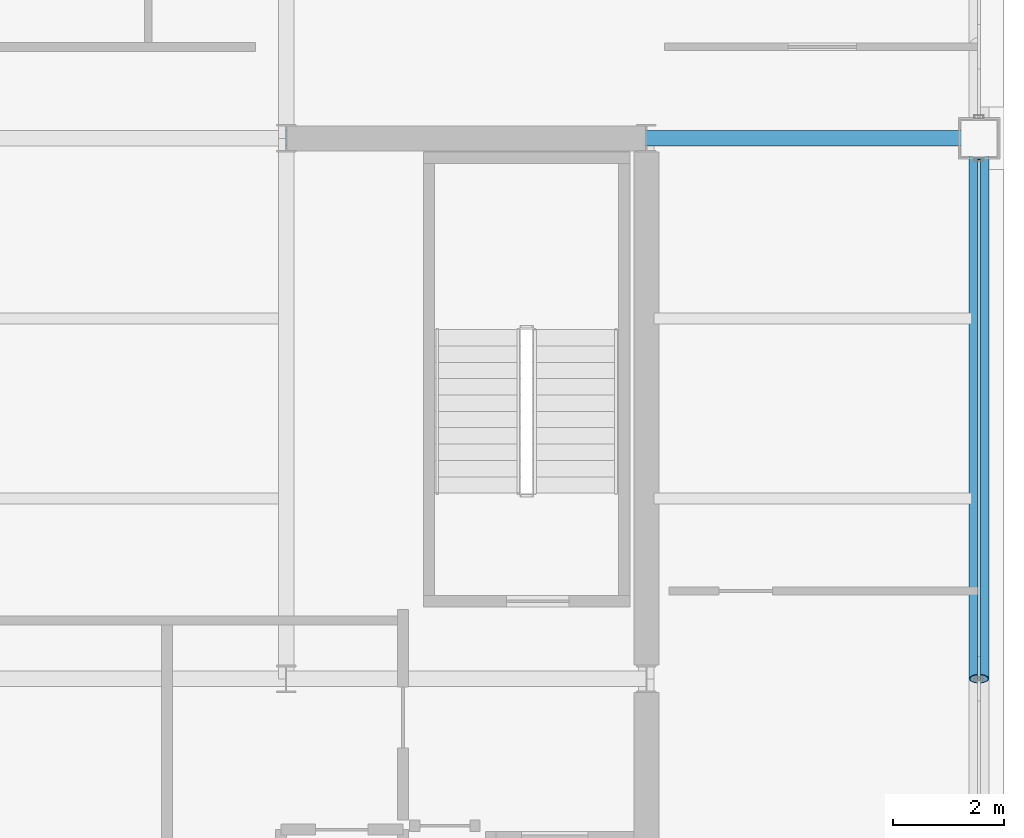
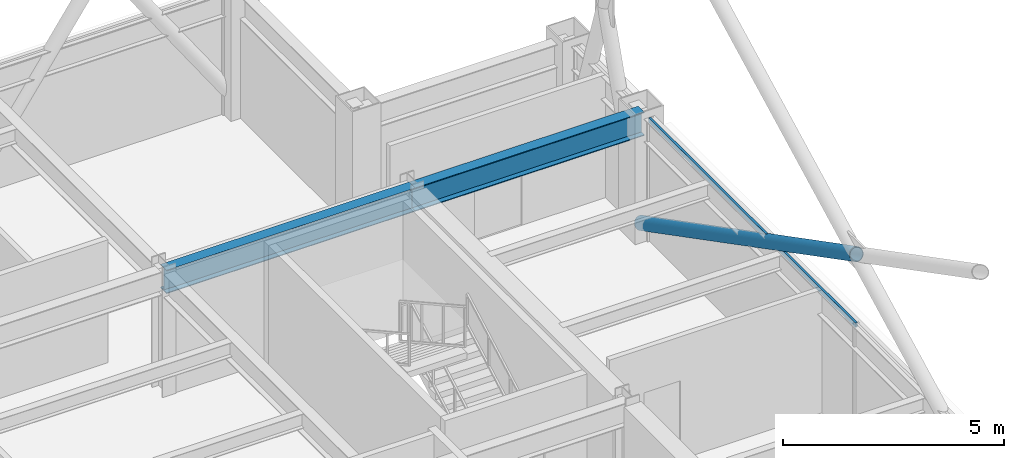
# One storey, part 17 of 30: 2 beams, 2 members, 1 element without a shape of its own.
"""IFC4 building model written with IfcOpenShell, lengths in metres."""

from ifc_helpers import new_model, si_unit, direction, frame, origin, origin_2d, place, context, subcontext, project, spatial, hollow_rectangle, hollow_circle, i_section, extrude, material, layer, layer_set, material_profile, profile_set, type_object, element, aggregate, save


model = new_model("IFC4")

# Units and contexts
model_context = context("Model", 3, precision=1e-05, world=origin(), true_north=direction((0.0, 1.0)))
body_context = subcontext(model_context, "Body", "Model", "MODEL_VIEW")
ifc_project = project(units=[si_unit("LENGTHUNIT", "METRE"), si_unit("AREAUNIT", "SQUARE_METRE"), si_unit("VOLUMEUNIT", "CUBIC_METRE"), si_unit("PLANEANGLEUNIT", "RADIAN"), si_unit("MASSUNIT", "GRAM", prefix="KILO")], contexts=[model_context])

# Site, building, storey
site_placement = place(None, origin())
site = spatial("IfcSite", under=ifc_project, at=site_placement, CompositionType="ELEMENT")
building_placement = place(site_placement, origin())
building = spatial("IfcBuilding", under=site, at=building_placement, Name="Brelmoor Portico Tower", CompositionType="ELEMENT")
storey_placement = place(building_placement, frame((0.0, 0.0, 173.10009765625)))
storey = spatial("IfcBuildingStorey", under=building, at=storey_placement, Name="L45", CompositionType="ELEMENT", Elevation=173.10009765625)

# Beams
ifc_material_1 = material(Name="Steel Q355B", Category="steel")
ifc_material_profile_1 = material_profile(ifc_material_1, i_section(OverallWidth=0.280029296875, OverallDepth=0.64990234375, WebThickness=0.012939453125, FlangeThickness=0.02197265625, at=origin_2d()), Name="HN 650x280x13x22")
ifc_profile_set_1 = profile_set([ifc_material_profile_1], Name="Steel Q355B")
beam_type = type_object("IfcBeamType", Name="BM-PG-650", PredefinedType="BEAM", material=ifc_profile_set_1)
beam_1_placement = place(storey_placement, frame((8.050048828125, 9.75, 3.074951171875), z_axis=(1.0, 0.0, 0.0), x_axis=(0.0, 1.0, 0.0)))
element("IfcBeam", 1, at=beam_1_placement, inside=storey, type_object=beam_type, Name="L45 Primary Floor Girder PG-22", PredefinedType="BEAM", context=body_context, shape_type="SweptSolid", body=[
    extrude(i_section(OverallWidth=0.280029296875, OverallDepth=0.64990234375, WebThickness=0.012939453125, FlangeThickness=0.02197265625, at=origin_2d()), origin(), (0.0, 0.0, 1.0), 6.5),
])
beam_2_placement = place(storey_placement, frame((14.550048828125, 9.75, 3.074951171875), z_axis=(1.0, 0.0, 0.0), x_axis=(0.0, 1.0, 0.0)))
element("IfcBeam", 2, at=beam_2_placement, inside=storey, type_object=beam_type, Name="L45 Primary Floor Girder PG-23", PredefinedType="BEAM", context=body_context, shape_type="SweptSolid", body=[
    extrude(i_section(OverallWidth=0.280029296875, OverallDepth=0.64990234375, WebThickness=0.012939453125, FlangeThickness=0.02197265625, at=origin_2d()), origin(), (0.0, 0.0, 1.0), 6.0),
])

# Member
ifc_material_profile_2 = material_profile(ifc_material_1, hollow_circle(Radius=0.177978515625, WallThickness=0.01611328125, at=origin_2d()), Name="CHS 356x16")
ifc_profile_set_2 = profile_set([ifc_material_profile_2], Name="Steel Q355B")
member_type_1 = type_object("IfcMemberType", Name="MB-BELT-DIAG2", PredefinedType="BRACE", material=ifc_profile_set_2)
member_1_placement = place(storey_placement, frame((20.550048828125, 9.75, 0.25), z_axis=(0.0, -0.887968466347, 0.459904340894), x_axis=(1.0, 0.0, 0.0)))
element("IfcMember", 3, at=member_1_placement, inside=storey, type_object=member_type_1, Name="L45 Split Mega-X Brace 103B1", PredefinedType="BRACE", context=body_context, shape_type="SweptSolid", body=[
    extrude(hollow_circle(Radius=0.177978515625, WallThickness=0.01611328125, at=origin_2d()), origin(), (0.0, 0.0, 1.0), 10.980224609375),
])

# Curtain wall, member
ifc_material_2 = material(Name="Anodised Aluminium Alloy 6063-T6", Category="aluminium")
ifc_layer = layer(ifc_material_2, 0.179931640625)
ifc_layer_set = layer_set([ifc_layer], Name="Anodised Aluminium Alloy 6063-T6")
curtain_wall_type = type_object("IfcCurtainWallType", Name="CW-TOWER-Z3-XB", PredefinedType="NOTDEFINED", material=ifc_layer_set)
curtain_wall_placement = place(storey_placement, origin())
curtain_wall = element("IfcCurtainWall", 4, at=curtain_wall_placement, inside=storey, type_object=curtain_wall_type, Name="L45 Curtain Wall CW-L45-04-2", PredefinedType="NOTDEFINED")
ifc_material_profile_3 = material_profile(ifc_material_2, hollow_rectangle(XDim=0.06005859375, YDim=0.125, WallThickness=0.00341796875, at=origin_2d()), Name="ALU TRANSOM 60x125")
ifc_profile_set_3 = profile_set([ifc_material_profile_3], Name="Anodised Aluminium Alloy 6063-T6")
member_type_2 = type_object("IfcMemberType", Name="MB-CW-TRAN-125", PredefinedType="USERDEFINED", material=ifc_profile_set_3)
member_2_placement = place(storey_placement, frame((20.550048828125, 0.0, 3.33740234375), z_axis=(0.0, 1.0, 0.0), x_axis=(-1.0, 0.0, 0.0)))
member_2 = element("IfcMember", 5, at=member_2_placement, type_object=member_type_2, Name="CW-L45-04-2 Transom 1-01", ObjectType="TRANSOM", PredefinedType="USERDEFINED", context=body_context, shape_type="SweptSolid", body=[
    extrude(hollow_rectangle(XDim=0.06005859375, YDim=0.125, WallThickness=0.00341796875, at=origin_2d()), origin(), (0.0, 0.0, 1.0), 9.364990234375),
])
aggregate(curtain_wall, [member_2])

save(model, "model.ifc")
